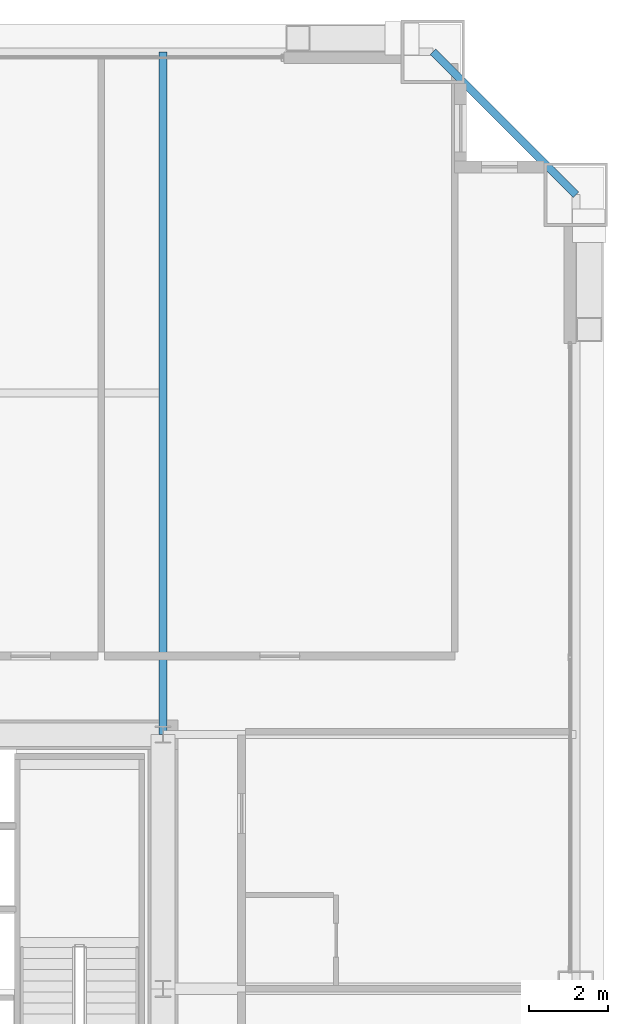
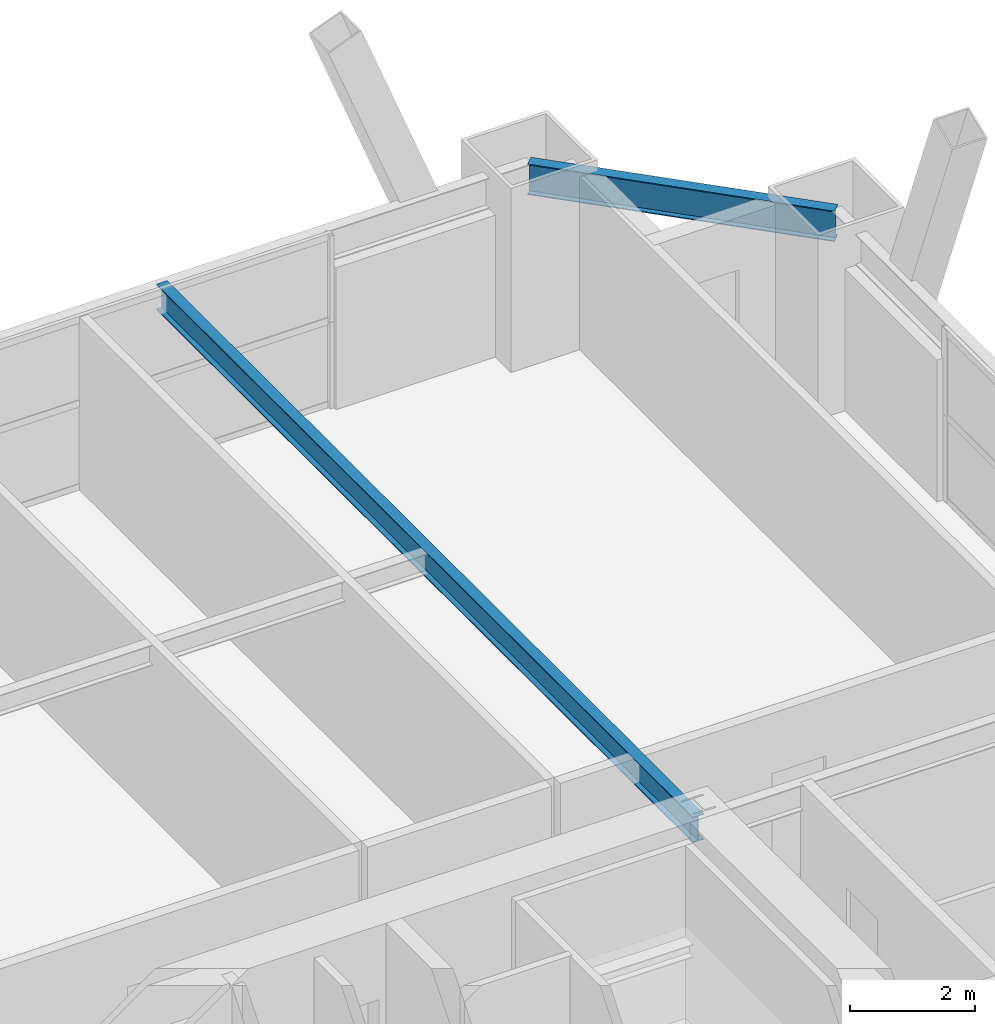
# One storey, part 29 of 41: 2 beams.
"""IFC4 building model written with IfcOpenShell, lengths in metres."""

import ifcopenshell
import ifcopenshell.guid

model = None  # the IFC model being written
_history = None  # IfcOwnerHistory: only IFC2X3 demands one
_inside = {}  # id of a spatial element -> (the spatial element, [elements in it])
_under = {}  # id of a project, library or spatial element -> (it, [spatial elements below it])
_declared = {}  # id of a project -> (the project, [libraries it declares])
_typed = {}  # id of a type object -> (the type object, [elements of that type])
_made_of = {}  # id of a material, layer set ... -> (it, [elements and type objects made of it])


def new_model(schema):
    """Start an empty IFC model of exactly this schema.

    Asked for "IFC4X3", IfcOpenShell would pick the latest addendum, in which some entities
    have other attributes; the version numbers below select the first issue.
    IFC2X3 requires an IfcOwnerHistory on every rooted entity: one is made here for all.
    """
    global model, _history
    if schema == "IFC4X3":
        model = ifcopenshell.file(schema_version=(4, 3, 0, 0))
    else:
        model = ifcopenshell.file(schema=schema)
    _inside.clear()
    _under.clear()
    _declared.clear()
    _typed.clear()
    _made_of.clear()
    _history = None
    if model.schema == "IFC2X3":
        org = make("IfcOrganization", Name="unknown")
        user = make(
            "IfcPersonAndOrganization",
            ThePerson=make("IfcPerson", FamilyName="unknown"),
            TheOrganization=org,
        )
        app = make(
            "IfcApplication",
            ApplicationDeveloper=org,
            Version="unknown",
            ApplicationFullName="unknown",
            ApplicationIdentifier="unknown",
        )
        _history = make(
            "IfcOwnerHistory",
            OwningUser=user,
            OwningApplication=app,
            ChangeAction="ADDED",
            CreationDate=0,
        )
    return model


def make(cls, **values):
    """One entity of the class cls with the attributes given. An attribute that is None is left unset."""
    return model.create_entity(
        cls, **{name: value for name, value in values.items() if value is not None}
    )


def rooted(cls, **values):
    """An entity with a GlobalId (a new one), such as an element, a storey or a relation."""
    return make(cls, GlobalId=ifcopenshell.guid.new(), OwnerHistory=_history, **values)


def si_unit(unit_type, name, prefix=None):
    """IfcSIUnit, for example si_unit("LENGTHUNIT", "METRE", prefix="MILLI")."""
    return make("IfcSIUnit", UnitType=unit_type, Prefix=prefix, Name=name)


def assignment(units):
    """IfcUnitAssignment: the units of a project."""
    return None if units is None else make("IfcUnitAssignment", Units=units)


def point(xyz):
    """IfcCartesianPoint."""
    return None if xyz is None else make("IfcCartesianPoint", Coordinates=xyz)


def direction(xyz):
    """IfcDirection."""
    return None if xyz is None else make("IfcDirection", DirectionRatios=xyz)


def frame(location, z_axis=None, x_axis=None):
    """IfcAxis2Placement3D, a coordinate frame: its origin and axes. An axis left out is left unset."""
    return make(
        "IfcAxis2Placement3D",
        Location=point(location),
        Axis=direction(z_axis),
        RefDirection=direction(x_axis),
    )


def frame_2d(location, x_axis=None):
    """IfcAxis2Placement2D, a coordinate frame in the plane: its origin and x axis."""
    return make(
        "IfcAxis2Placement2D", Location=point(location), RefDirection=direction(x_axis)
    )


def origin():
    """The frame at (0, 0, 0) with its axes left unset."""
    return frame((0.0, 0.0, 0.0))


def origin_2d():
    """The frame at (0, 0) in the plane with its x axis left unset."""
    return frame_2d((0.0, 0.0))


def place(relative_to, where):
    """IfcLocalPlacement: puts the frame where relative to a parent placement (None: the world)."""
    return make(
        "IfcLocalPlacement", PlacementRelTo=relative_to, RelativePlacement=where
    )


def context(
    kind, dimensions, precision=None, world=None, true_north=None, identifier=None
):
    """IfcGeometricRepresentationContext, for example the 3D "Model" context."""
    return make(
        "IfcGeometricRepresentationContext",
        ContextIdentifier=identifier,
        ContextType=kind,
        CoordinateSpaceDimension=dimensions,
        Precision=precision,
        WorldCoordinateSystem=world,
        TrueNorth=true_north,
    )


def subcontext(parent, identifier, kind, view, scale=None):
    """IfcGeometricRepresentationSubContext, for example "Body" below "Model"."""
    return make(
        "IfcGeometricRepresentationSubContext",
        ContextIdentifier=identifier,
        ContextType=kind,
        ParentContext=parent,
        TargetScale=scale,
        TargetView=view,
    )


def project(units=None, contexts=None):
    """IfcProject with its units and contexts."""
    return rooted(
        "IfcProject",
        Name="project",
        RepresentationContexts=contexts,
        UnitsInContext=assignment(units),
    )


def spatial(cls, under=None, at=None, **own):
    """A site, building, storey or space (cls), placed at a placement, below another one or the project."""
    s = rooted(cls, ObjectPlacement=at, **own)
    if under is not None:
        _under.setdefault(under.id(), (under, []))[1].append(s)
    return s


def profile(cls, at=None, kind="AREA", **sizes):
    """A parametric profile (cls). Its sizes go by their IFC names, for example OverallWidth=200.0."""
    return make(cls, ProfileType=kind, Position=at, **sizes)


def i_section(**sizes):
    """IfcIShapeProfileDef."""
    return profile("IfcIShapeProfileDef", **sizes)


def extrude(swept, where, along, depth):
    """IfcExtrudedAreaSolid: the profile swept, set in the frame where, extruded along a direction by depth."""
    return make(
        "IfcExtrudedAreaSolid",
        SweptArea=swept,
        Position=where,
        ExtrudedDirection=direction(along),
        Depth=depth,
    )


def shape(context_of_items, identifier, shape_type, items):
    """IfcShapeRepresentation: the items that make up one representation, for example the "Body"."""
    return make(
        "IfcShapeRepresentation",
        ContextOfItems=context_of_items,
        RepresentationIdentifier=identifier,
        RepresentationType=shape_type,
        Items=items,
    )


def source(mapping_origin, context_of_items, identifier, shape_type, items):
    """IfcRepresentationMap: a shape defined once, which mapped items show again and again."""
    return make(
        "IfcRepresentationMap",
        MappingOrigin=mapping_origin,
        MappedRepresentation=shape(context_of_items, identifier, shape_type, items),
    )


def transform(
    local_origin,
    x_axis=None,
    y_axis=None,
    z_axis=None,
    scale=None,
    scale2=None,
    scale3=None,
    uniform=True,
):
    """IfcCartesianTransformationOperator3D, or its non-uniform kind. x_axis, y_axis, z_axis: its Axis1, 2, 3."""
    if uniform:
        return make(
            "IfcCartesianTransformationOperator3D",
            Axis1=direction(x_axis),
            Axis2=direction(y_axis),
            LocalOrigin=point(local_origin),
            Scale=scale,
            Axis3=direction(z_axis),
        )
    return make(
        "IfcCartesianTransformationOperator3DnonUniform",
        Axis1=direction(x_axis),
        Axis2=direction(y_axis),
        LocalOrigin=point(local_origin),
        Scale=scale,
        Axis3=direction(z_axis),
        Scale2=scale2,
        Scale3=scale3,
    )


def mapped(mapping_source, mapping_target):
    """IfcMappedItem: shows the shape of a source again, moved by a transform."""
    return make(
        "IfcMappedItem", MappingSource=mapping_source, MappingTarget=mapping_target
    )


def material(Name=None, Category=None):
    """IfcMaterial."""
    return make("IfcMaterial", Name=Name, Category=Category)


def material_profile(
    of_material, cross_section, Name=None, Category=None, Priority=None
):
    """IfcMaterialProfile: a cross section and its material."""
    return make(
        "IfcMaterialProfile",
        Name=Name,
        Material=of_material,
        Profile=cross_section,
        Priority=Priority,
        Category=Category,
    )


def profile_set(profiles, Name=None, composite=None):
    """IfcMaterialProfileSet."""
    return make(
        "IfcMaterialProfileSet",
        Name=Name,
        MaterialProfiles=profiles,
        CompositeProfile=composite,
    )


def made_of(thing, what):
    """Note that an element or type object is made of a material, layer set ...; save() writes the relation."""
    if what is not None:
        _made_of.setdefault(what.id(), (what, []))[1].append(thing)
    return thing


def type_object(cls, material=None, **own):
    """A type object (cls), such as IfcWallType, which elements share."""
    return made_of(rooted(cls, **own), material)


def element(
    cls,
    number,
    at=None,
    inside=None,
    cuts=None,
    type_object=None,
    material=None,
    context=None,
    identifier="Body",
    shape_type=None,
    held_by="IfcProductDefinitionShape",
    body=None,
    shapes=None,
    **own,
):
    """One element of the class cls, such as IfcWall. Its Tag is "e" and its number.

    at: its placement. inside: the storey or other place that contains it. cuts: it is an
    opening in that element (IfcRelVoidsElement). A single representation is given by context,
    identifier, shape_type and body (its items); several are given by shapes. held_by: the class
    of the entity that holds the representations. save() writes the other relations.
    """
    e = rooted(cls, Tag="e%d" % number, ObjectPlacement=at, **own)
    if body is not None:
        shapes = [shape(context, identifier, shape_type, body)]
    if shapes is not None:
        e.Representation = make(held_by, Representations=shapes)
    if inside is not None:
        _inside.setdefault(inside.id(), (inside, []))[1].append(e)
    if cuts is not None:
        rooted(
            "IfcRelVoidsElement", RelatingBuildingElement=cuts, RelatedOpeningElement=e
        )
    if type_object is not None:
        _typed.setdefault(type_object.id(), (type_object, []))[1].append(e)
    return made_of(e, material)


def aggregate(whole, parts):
    """IfcRelAggregates: a whole, such as a stair, and the parts it consists of."""
    return rooted("IfcRelAggregates", RelatingObject=whole, RelatedObjects=parts)


def save(model, path):
    """Write the relations noted so far, then the file.

    IfcRelAggregates (storeys below a building ...), IfcRelContainedInSpatialStructure (elements
    in a storey), IfcRelDefinesByType, IfcRelAssociatesMaterial and IfcRelDeclares: one each for
    every whole, place, type object, material and project.
    """
    for whole, parts in _under.values():
        aggregate(whole, parts)
    for where, things in _inside.values():
        rooted(
            "IfcRelContainedInSpatialStructure",
            RelatedElements=things,
            RelatingStructure=where,
        )
    for kind, things in _typed.values():
        rooted("IfcRelDefinesByType", RelatedObjects=things, RelatingType=kind)
    for what, things in _made_of.values():
        rooted("IfcRelAssociatesMaterial", RelatedObjects=things, RelatingMaterial=what)
    for by, libraries in _declared.values():
        rooted("IfcRelDeclares", RelatingContext=by, RelatedDefinitions=libraries)
    model.write(path)


model = new_model("IFC4")

# Units and contexts
model_context = context("Model", 3, precision=1e-05, world=origin(), true_north=direction((0.0, 1.0)))
body_context = subcontext(model_context, "Body", "Model", "MODEL_VIEW")
ifc_project = project(units=[si_unit("LENGTHUNIT", "METRE"), si_unit("AREAUNIT", "SQUARE_METRE"), si_unit("VOLUMEUNIT", "CUBIC_METRE"), si_unit("PLANEANGLEUNIT", "RADIAN"), si_unit("MASSUNIT", "GRAM", prefix="KILO"), si_unit("THERMODYNAMICTEMPERATUREUNIT", "KELVIN"), si_unit("POWERUNIT", "WATT")], contexts=[model_context])

# Site, building, storey
site_placement = place(None, origin())
site = spatial("IfcSite", under=ifc_project, at=site_placement, CompositionType="ELEMENT")
building_placement = place(site_placement, origin())
building = spatial("IfcBuilding", under=site, at=building_placement, Name="Yuzanri Waterfront Tower", CompositionType="ELEMENT")
storey_placement = place(building_placement, frame((0.0, 0.0, 115.39990234375)))
storey = spatial("IfcBuildingStorey", under=building, at=storey_placement, Name="L30", CompositionType="ELEMENT", Elevation=115.39990234375)

# Beams
ifc_material_1 = material(Name="Steel Q355B", Category="steel")
ifc_material_profile_1 = material_profile(ifc_material_1, i_section(OverallWidth=0.199951171875, OverallDepth=0.60009765625, WebThickness=0.010986328125, FlangeThickness=0.01708984375, at=origin_2d()), Name="HN 600x200x11x17")
ifc_profile_set_1 = profile_set([ifc_material_profile_1], Name="Steel Q355B")
beam_type_1 = type_object("IfcBeamType", Name="Perimeter Spandrel Q355B HN 600x200", PredefinedType="SPANDREL", material=ifc_profile_set_1)
shared_shape_1 = source(origin(), body_context, "Body", "SweptSolid", [
    extrude(i_section(OverallWidth=0.199951171875, OverallDepth=0.60009765625, WebThickness=0.010986328125, FlangeThickness=0.01708984375, at=origin_2d()), origin(), (0.0, 0.0, 1.0), 5.091064453125),
])
beam_1_placement = place(storey_placement, frame((60.60009765625, 45.800048828125, 3.080078125), z_axis=(-0.707130757816, 0.707082803744, 0.0), x_axis=(-0.707082803744, -0.707130757816, 0.0)))
element("IfcBeam", 1, at=beam_1_placement, inside=storey, type_object=beam_type_1, Name="L30 Perimeter Spandrel E3-N3", PredefinedType="SPANDREL", context=body_context, shape_type="MappedRepresentation", body=[
    mapped(shared_shape_1, transform((0.0, 0.0, 0.0), scale=1.0)),
])
ifc_material_2 = material(Name="Steel Q355B", Category="steel")
ifc_material_profile_2 = material_profile(ifc_material_2, i_section(OverallWidth=0.199951171875, OverallDepth=0.5, WebThickness=0.010009765625, FlangeThickness=0.01611328125, at=origin_2d()), Name="HN 500x200x10x16")
ifc_profile_set_2 = profile_set([ifc_material_profile_2], Name="Steel Q355B")
beam_type_2 = type_object("IfcBeamType", Name="Secondary Floor Beam Q355B HN 500x200", PredefinedType="BEAM", material=ifc_profile_set_2)
shared_shape_2 = source(origin(), body_context, "Body", "SweptSolid", [
    extrude(i_section(OverallWidth=0.199951171875, OverallDepth=0.5, WebThickness=0.010009765625, FlangeThickness=0.01611328125, at=origin_2d()), origin(), (0.0, 0.0, 1.0), 17.199951171875),
])
beam_2_placement = place(storey_placement, frame((50.199951171875, 32.199951171875, 3.130126953125), z_axis=(0.0, 1.0, 0.0), x_axis=(-1.0, 0.0, 0.0)))
element("IfcBeam", 2, at=beam_2_placement, inside=storey, type_object=beam_type_2, Name="L30 North-East Core Line Beam", PredefinedType="BEAM", context=body_context, shape_type="MappedRepresentation", body=[
    mapped(shared_shape_2, transform((0.0, 0.0, 0.0), scale=1.0)),
])

save(model, "model.ifc")
